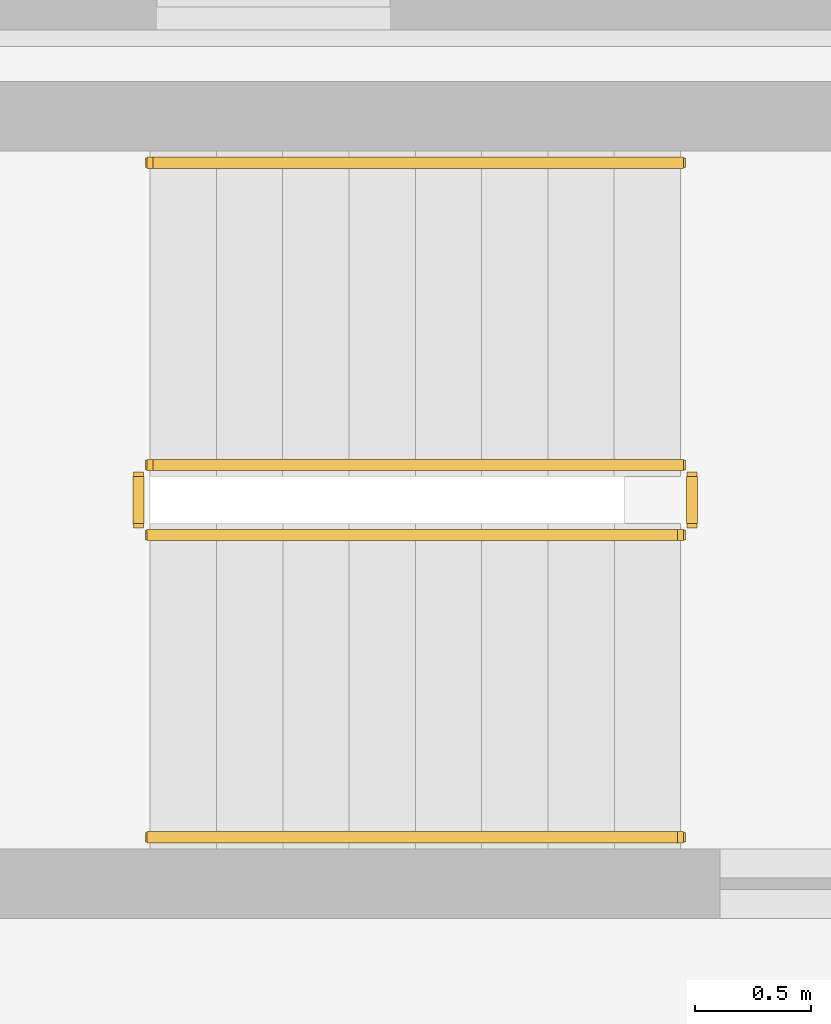
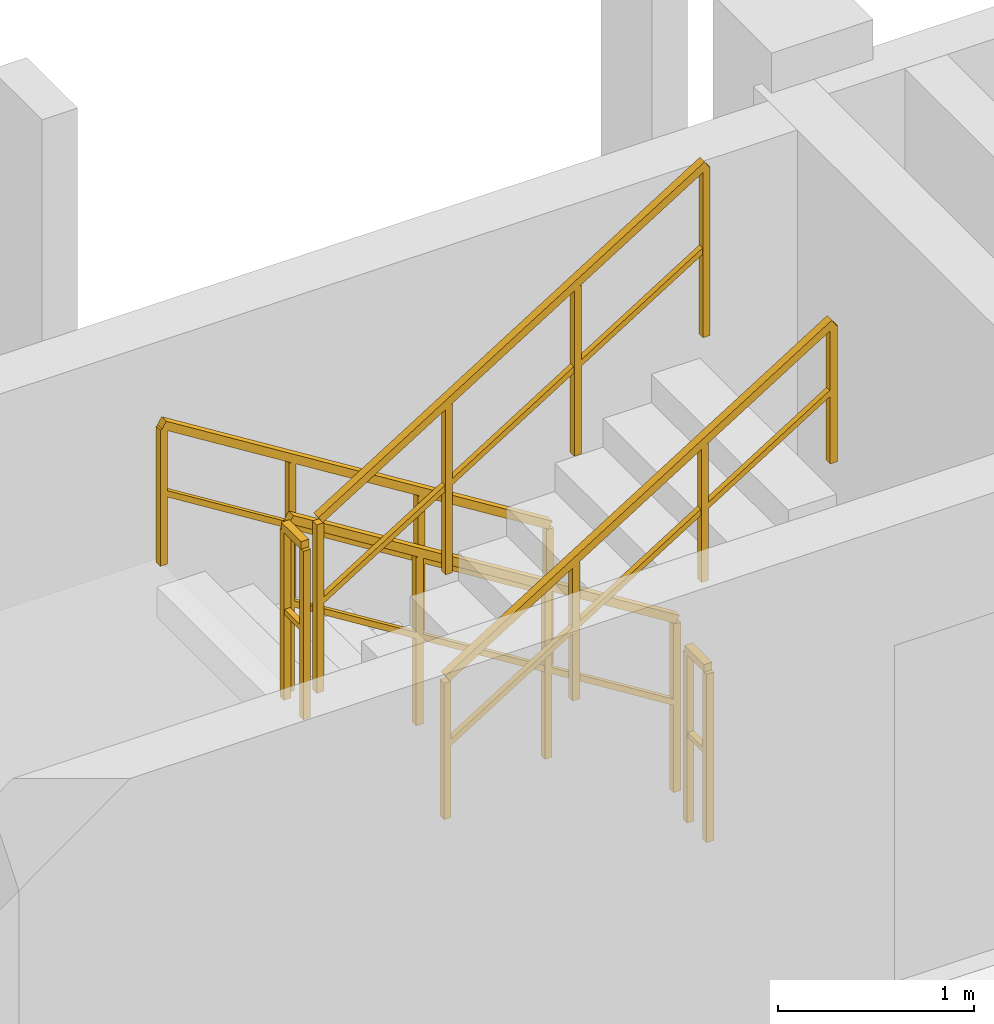
# One storey, part 72 of 78: 6 railings.
"""IFC4 building model written with IfcOpenShell, lengths in metres."""

from ifc_helpers import new_model, si_unit, direction, frame, origin, origin_2d, place, context, subcontext, project, spatial, rectangle, extrude, material, type_object, element, save


model = new_model("IFC4")

# Units and contexts
model_context = context("Model", 3, precision=1e-05, world=origin(), true_north=direction((0.0, 1.0)))
body_context = subcontext(model_context, "Body", "Model", "MODEL_VIEW")
ifc_project = project(units=[si_unit("LENGTHUNIT", "METRE"), si_unit("AREAUNIT", "SQUARE_METRE"), si_unit("VOLUMEUNIT", "CUBIC_METRE"), si_unit("PLANEANGLEUNIT", "RADIAN"), si_unit("MASSUNIT", "GRAM", prefix="KILO")], contexts=[model_context])

# Site, building, storey
site_placement = place(None, origin())
site = spatial("IfcSite", under=ifc_project, at=site_placement, CompositionType="ELEMENT")
building_placement = place(site_placement, origin())
building = spatial("IfcBuilding", under=site, at=building_placement, Name="Suanplinth Sawtooth Commons", CompositionType="ELEMENT")
storey_placement = place(building_placement, frame((0.0, 0.0, 15.39990234375)))
storey = spatial("IfcBuildingStorey", under=building, at=storey_placement, Name="L04", CompositionType="ELEMENT", Elevation=15.39990234375)

# Railings
ifc_material = material(Name="Stainless steel Grade 304", Category="steel")
railing_type_1 = type_object("IfcRailingType", Name="GR-04", PredefinedType="GUARDRAIL", material=ifc_material)
railing_1_placement = place(storey_placement, frame((142.14990234375, 12.39990234375, 0.177978515625)))
element("IfcRailing", 1, at=railing_1_placement, inside=storey, type_object=railing_type_1, Name="L04 ST-S1 Guard 1", PredefinedType="GUARDRAIL", context=body_context, shape_type="SweptSolid", body=[
    extrude(rectangle(XDim=0.048095703125, YDim=0.048095703125, at=origin_2d()), frame((0.0, 0.0, 1.076171875), z_axis=(-0.848457393559, 0.0, 0.529263687886), x_axis=(0.0, -1.0, 0.0)), (0.0, 0.0, 1.0), 2.68701171875),
    extrude(rectangle(XDim=0.03369140625, YDim=0.03369140625, at=origin_2d()), frame((0.0, 0.0, 0.550048828125), z_axis=(-0.848457393559, 0.0, 0.529263687886), x_axis=(0.0, -1.0, 0.0)), (0.0, 0.0, 1.0), 2.68701171875),
    extrude(rectangle(XDim=0.0419921875, YDim=0.0419921875, at=origin_2d()), origin(), (0.0, 0.0, 1.0), 1.052001953125),
    extrude(rectangle(XDim=0.0419921875, YDim=0.0419921875, at=origin_2d()), frame((-0.760009765625, 0.0, 0.47412109375)), (0.0, 0.0, 1.0), 1.052001953125),
    extrude(rectangle(XDim=0.0419921875, YDim=0.0419921875, at=origin_2d()), frame((-1.519775390625, 0.0, 0.947998046875)), (0.0, 0.0, 1.0), 1.052001953125),
    extrude(rectangle(XDim=0.0419921875, YDim=0.0419921875, at=origin_2d()), frame((-2.27978515625, 0.0, 1.422119140625)), (0.0, 0.0, 1.0), 1.052001953125),
])
railing_2_placement = place(storey_placement, frame((139.820068359375, 12.35009765625, 1.60009765625)))
element("IfcRailing", 2, at=railing_2_placement, inside=storey, type_object=railing_type_1, Name="L04 ST-S1 Guard 2", PredefinedType="GUARDRAIL", context=body_context, shape_type="SweptSolid", body=[
    extrude(rectangle(XDim=0.048095703125, YDim=0.048095703125, at=origin_2d()), frame((0.0, 0.0, 1.076171875), z_axis=(0.0, -1.0, 0.0), x_axis=(1.0, 0.0, 0.0)), (0.0, 0.0, 1.0), 0.2001953125),
    extrude(rectangle(XDim=0.03369140625, YDim=0.03369140625, at=origin_2d()), frame((0.0, 0.0, 0.550048828125), z_axis=(0.0, -1.0, 0.0), x_axis=(1.0, 0.0, 0.0)), (0.0, 0.0, 1.0), 0.2001953125),
    extrude(rectangle(XDim=0.0419921875, YDim=0.0419921875, at=origin_2d()), origin(), (0.0, 0.0, 1.0), 1.052001953125),
    extrude(rectangle(XDim=0.0419921875, YDim=0.0419921875, at=origin_2d()), frame((0.0, -0.2001953125, 0.0)), (0.0, 0.0, 1.0), 1.052001953125),
])
railing_3_placement = place(storey_placement, frame((139.8701171875, 12.10009765625, 1.77783203125)))
element("IfcRailing", 3, at=railing_3_placement, inside=storey, type_object=railing_type_1, Name="L04 ST-S1 Guard 3", PredefinedType="GUARDRAIL", context=body_context, shape_type="SweptSolid", body=[
    extrude(rectangle(XDim=0.048095703125, YDim=0.048095703125, at=origin_2d()), frame((0.0, 0.0, 1.076171875), z_axis=(0.848416591296, 0.0, 0.529329091978), x_axis=(0.0, 1.0, 0.0)), (0.0, 0.0, 1.0), 2.68701171875),
    extrude(rectangle(XDim=0.03369140625, YDim=0.03369140625, at=origin_2d()), frame((0.0, 0.0, 0.550048828125), z_axis=(0.848416591296, 0.0, 0.529329091978), x_axis=(0.0, 1.0, 0.0)), (0.0, 0.0, 1.0), 2.68701171875),
    extrude(rectangle(XDim=0.0419921875, YDim=0.0419921875, at=origin_2d()), origin(), (0.0, 0.0, 1.0), 1.052001953125),
    extrude(rectangle(XDim=0.0419921875, YDim=0.0419921875, at=origin_2d()), frame((0.760009765625, 0.0, 0.47412109375)), (0.0, 0.0, 1.0), 1.052001953125),
    extrude(rectangle(XDim=0.0419921875, YDim=0.0419921875, at=origin_2d()), frame((1.519775390625, 0.0, 0.9482421875)), (0.0, 0.0, 1.0), 1.052001953125),
    extrude(rectangle(XDim=0.0419921875, YDim=0.0419921875, at=origin_2d()), frame((2.27978515625, 0.0, 1.42236328125)), (0.0, 0.0, 1.0), 1.052001953125),
])
railing_4_placement = place(storey_placement, frame((142.199951171875, 12.35009765625, 0.0)))
element("IfcRailing", 4, at=railing_4_placement, inside=storey, type_object=railing_type_1, Name="L04 ST-S1 Guard 4", PredefinedType="GUARDRAIL", context=body_context, shape_type="SweptSolid", body=[
    extrude(rectangle(XDim=0.048095703125, YDim=0.048095703125, at=origin_2d()), frame((0.0, 0.0, 1.076171875), z_axis=(0.0, -1.0, 0.0), x_axis=(1.0, 0.0, 0.0)), (0.0, 0.0, 1.0), 0.2001953125),
    extrude(rectangle(XDim=0.03369140625, YDim=0.03369140625, at=origin_2d()), frame((0.0, 0.0, 0.550048828125), z_axis=(0.0, -1.0, 0.0), x_axis=(1.0, 0.0, 0.0)), (0.0, 0.0, 1.0), 0.2001953125),
    extrude(rectangle(XDim=0.0419921875, YDim=0.0419921875, at=origin_2d()), origin(), (0.0, 0.0, 1.0), 1.052001953125),
    extrude(rectangle(XDim=0.0419921875, YDim=0.0419921875, at=origin_2d()), frame((0.0, -0.2001953125, 0.0)), (0.0, 0.0, 1.0), 1.052001953125),
])
railing_type_2 = type_object("IfcRailingType", Name="HR-01", PredefinedType="HANDRAIL", material=ifc_material)
railing_5_placement = place(storey_placement, frame((142.14990234375, 13.699951171875, 0.177978515625)))
element("IfcRailing", 5, at=railing_5_placement, inside=storey, type_object=railing_type_2, Name="L04 ST-S1 Handrail 1", PredefinedType="HANDRAIL", context=body_context, shape_type="SweptSolid", body=[
    extrude(rectangle(XDim=0.048095703125, YDim=0.048095703125, at=origin_2d()), frame((0.0, 0.0, 0.8759765625), z_axis=(-0.848457393559, 0.0, 0.529263687886), x_axis=(0.0, -1.0, 0.0)), (0.0, 0.0, 1.0), 2.68701171875),
    extrude(rectangle(XDim=0.03369140625, YDim=0.03369140625, at=origin_2d()), frame((0.0, 0.0, 0.449951171875), z_axis=(-0.848457393559, 0.0, 0.529263687886), x_axis=(0.0, -1.0, 0.0)), (0.0, 0.0, 1.0), 2.68701171875),
    extrude(rectangle(XDim=0.0419921875, YDim=0.0419921875, at=origin_2d()), origin(), (0.0, 0.0, 1.0), 0.851806640625),
    extrude(rectangle(XDim=0.0419921875, YDim=0.0419921875, at=origin_2d()), frame((-0.760009765625, 0.0, 0.47412109375)), (0.0, 0.0, 1.0), 0.851806640625),
    extrude(rectangle(XDim=0.0419921875, YDim=0.0419921875, at=origin_2d()), frame((-1.519775390625, 0.0, 0.947998046875)), (0.0, 0.0, 1.0), 0.851806640625),
    extrude(rectangle(XDim=0.0419921875, YDim=0.0419921875, at=origin_2d()), frame((-2.27978515625, 0.0, 1.422119140625)), (0.0, 0.0, 1.0), 0.851806640625),
])
railing_6_placement = place(storey_placement, frame((139.8701171875, 10.800048828125, 1.77783203125)))
element("IfcRailing", 6, at=railing_6_placement, inside=storey, type_object=railing_type_2, Name="L04 ST-S1 Handrail 2", PredefinedType="HANDRAIL", context=body_context, shape_type="SweptSolid", body=[
    extrude(rectangle(XDim=0.048095703125, YDim=0.048095703125, at=origin_2d()), frame((0.0, 0.0, 0.8759765625), z_axis=(0.848416591296, 0.0, 0.529329091978), x_axis=(0.0, 1.0, 0.0)), (0.0, 0.0, 1.0), 2.68701171875),
    extrude(rectangle(XDim=0.03369140625, YDim=0.03369140625, at=origin_2d()), frame((0.0, 0.0, 0.449951171875), z_axis=(0.848416591296, 0.0, 0.529329091978), x_axis=(0.0, 1.0, 0.0)), (0.0, 0.0, 1.0), 2.68701171875),
    extrude(rectangle(XDim=0.0419921875, YDim=0.0419921875, at=origin_2d()), origin(), (0.0, 0.0, 1.0), 0.851806640625),
    extrude(rectangle(XDim=0.0419921875, YDim=0.0419921875, at=origin_2d()), frame((0.760009765625, 0.0, 0.47412109375)), (0.0, 0.0, 1.0), 0.851806640625),
    extrude(rectangle(XDim=0.0419921875, YDim=0.0419921875, at=origin_2d()), frame((1.519775390625, 0.0, 0.9482421875)), (0.0, 0.0, 1.0), 0.851806640625),
    extrude(rectangle(XDim=0.0419921875, YDim=0.0419921875, at=origin_2d()), frame((2.27978515625, 0.0, 1.42236328125)), (0.0, 0.0, 1.0), 0.851806640625),
])

save(model, "model.ifc")
